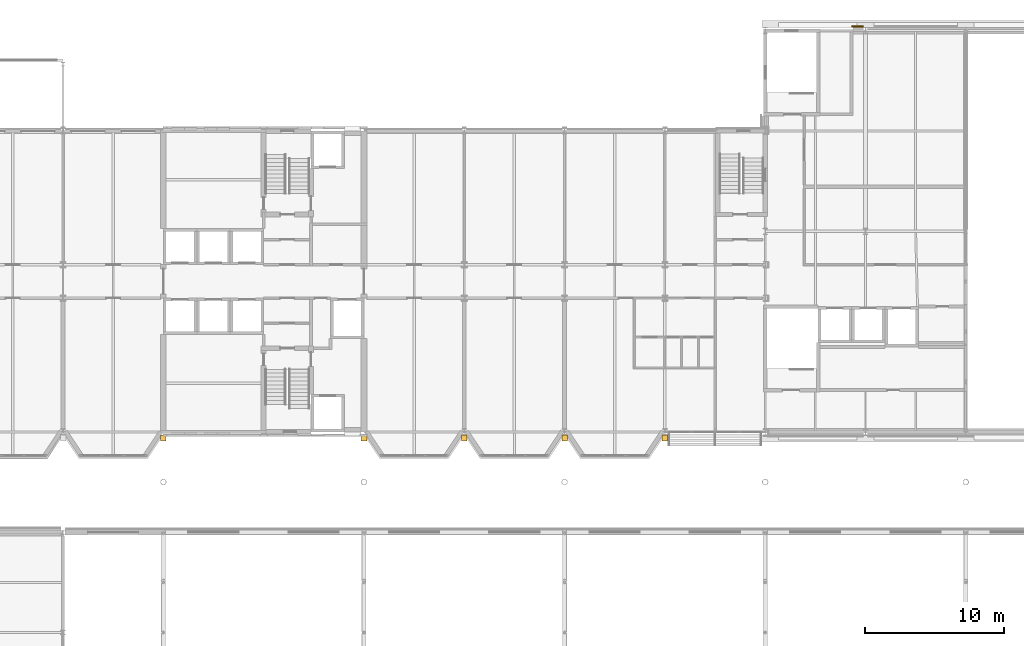
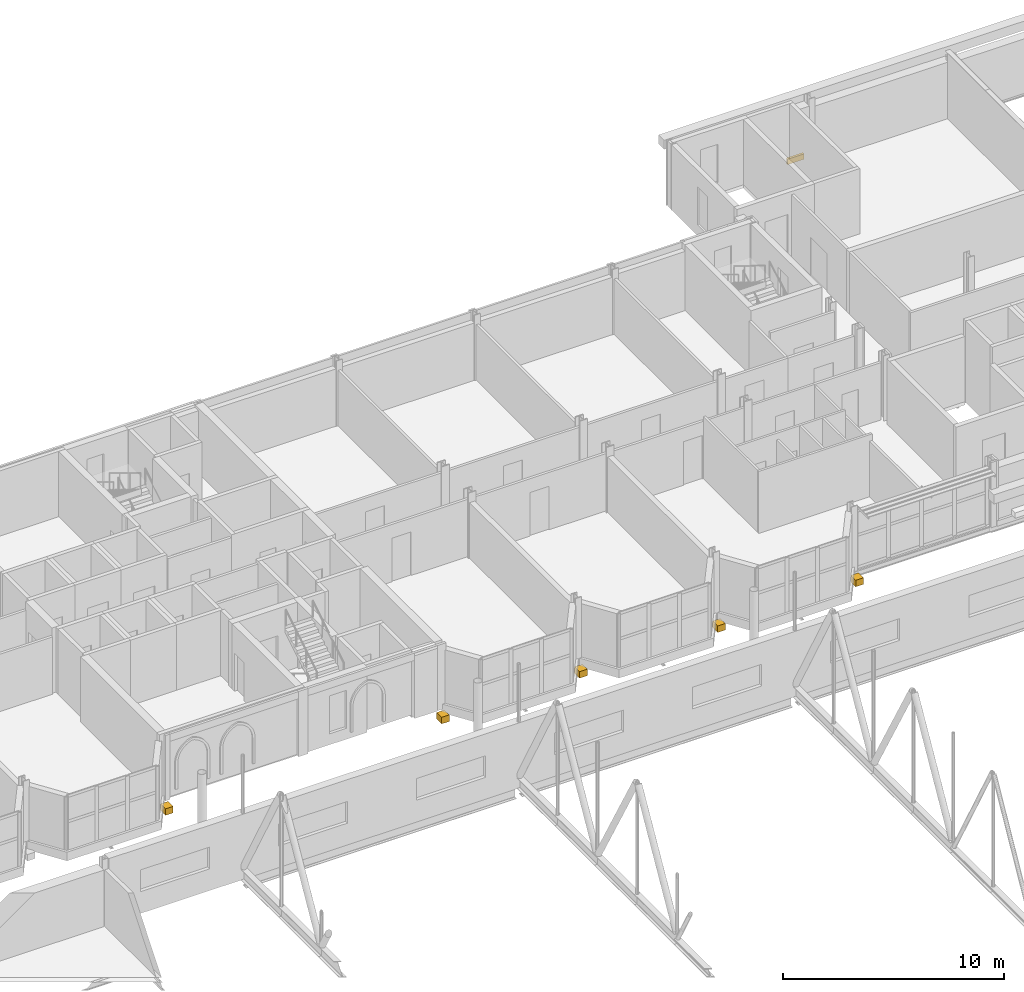
# One storey, part 141 of 142: 6 coverings.
"""IFC4 building model written with IfcOpenShell, lengths in metres."""

from ifc_helpers import new_model, si_unit, direction, frame, origin, origin_2d, place, context, subcontext, project, spatial, rectangle, extrude, material, layer, layer_set, type_object, element, save


model = new_model("IFC4")

# Units and contexts
model_context = context("Model", 3, precision=1e-05, world=origin(), true_north=direction((0.0, 1.0)))
body_context = subcontext(model_context, "Body", "Model", "MODEL_VIEW")
ifc_project = project(units=[si_unit("LENGTHUNIT", "METRE"), si_unit("AREAUNIT", "SQUARE_METRE"), si_unit("VOLUMEUNIT", "CUBIC_METRE"), si_unit("PLANEANGLEUNIT", "RADIAN"), si_unit("MASSUNIT", "GRAM", prefix="KILO")], contexts=[model_context])

# Site, building, storey
site_placement = place(None, origin())
site = spatial("IfcSite", under=ifc_project, at=site_placement, CompositionType="ELEMENT")
building_placement = place(site_placement, origin())
building = spatial("IfcBuilding", under=site, at=building_placement, Name="Kupolbacken Congress Centre", CompositionType="ELEMENT")
storey_placement = place(building_placement, frame((0.0, 0.0, 14.39990234375)))
storey = spatial("IfcBuildingStorey", under=building, at=storey_placement, Name="L04", CompositionType="ELEMENT", Elevation=14.39990234375)

# Coverings
ifc_material = material(Name="Limestone cladding", Category="masonry")
ifc_layer = layer(ifc_material, 0.1201171875)
ifc_layer_set = layer_set([ifc_layer], Name="Limestone cladding")
covering_type = type_object("IfcCoveringType", Name="CV1 limestone cladding band 120", PredefinedType="CLADDING", material=ifc_layer_set)
covering_placement = place(storey_placement, frame((143.425048828125, 151.5, 0.0), z_axis=(0.0, 0.0, 1.0), x_axis=(-1.0, 0.0, 0.0)))
element("IfcCovering", 1, at=covering_placement, inside=storey, type_object=covering_type, Name="E/BF/N/L04/401/band", PredefinedType="CLADDING", context=body_context, shape_type="SweptSolid", body=[
    extrude(rectangle(XDim=0.85009765625, YDim=0.1201171875, at=origin_2d()), origin(), (0.0, 0.0, 1.0), 0.300048828125),
])
for number, where, z_axis, x_axis, name in (
    (2, (108.0, 121.958984375, -0.5), (0.0, 0.0, 1.0), (1.0, 0.0, 0.0), "E/T/bracket/L04/S/108/L"),
    (3, (115.199951171875, 121.958984375, -0.5), (0.0, 0.0, 1.0), (1.0, 0.0, 0.0), "E/T/bracket/L04/S/108/R"),
    (4, (122.39990234375, 121.958984375, -0.5), (0.0, 0.0, 1.0), (1.0, 0.0, 0.0), "E/T/bracket/L04/S/115.2/R"),
    (5, (129.60009765625, 121.958984375, -0.5), (0.0, 0.0, 1.0), (1.0, 0.0, 0.0), "E/T/bracket/L04/S/122.4/R"),
    (6, (93.60009765625, 121.958984375, -0.5), (0.0, 0.0, 1.0), (1.0, 0.0, 0.0), "E/T/bracket/L04/S/86.4/R"),
):
    element("IfcCovering", number, at=place(storey_placement, frame(where, z_axis=z_axis, x_axis=x_axis)), inside=storey, type_object=covering_type, Name=name, PredefinedType="CLADDING", context=body_context, shape_type="SweptSolid", body=[
        extrude(rectangle(XDim=0.39990234375, YDim=0.449951171875, at=origin_2d()), origin(), (0.0, 0.0, 1.0), 0.360107421875),
    ])

save(model, "model.ifc")
